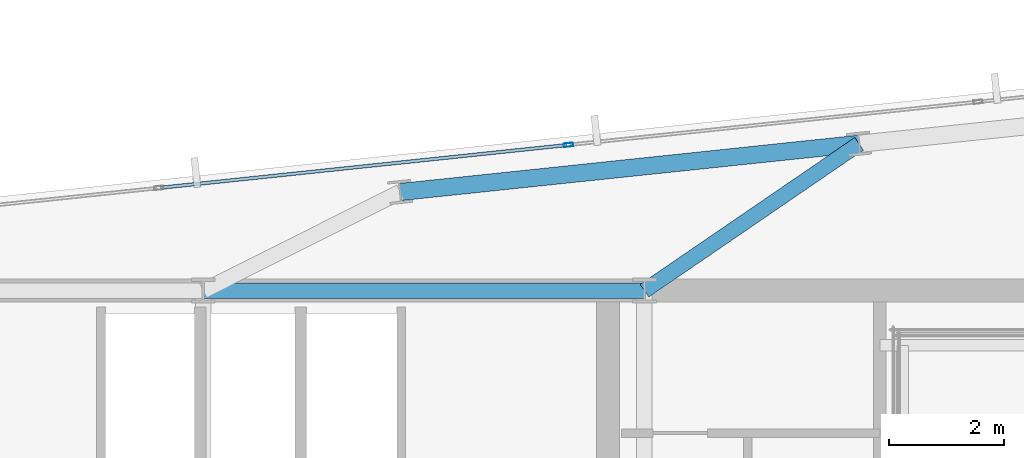
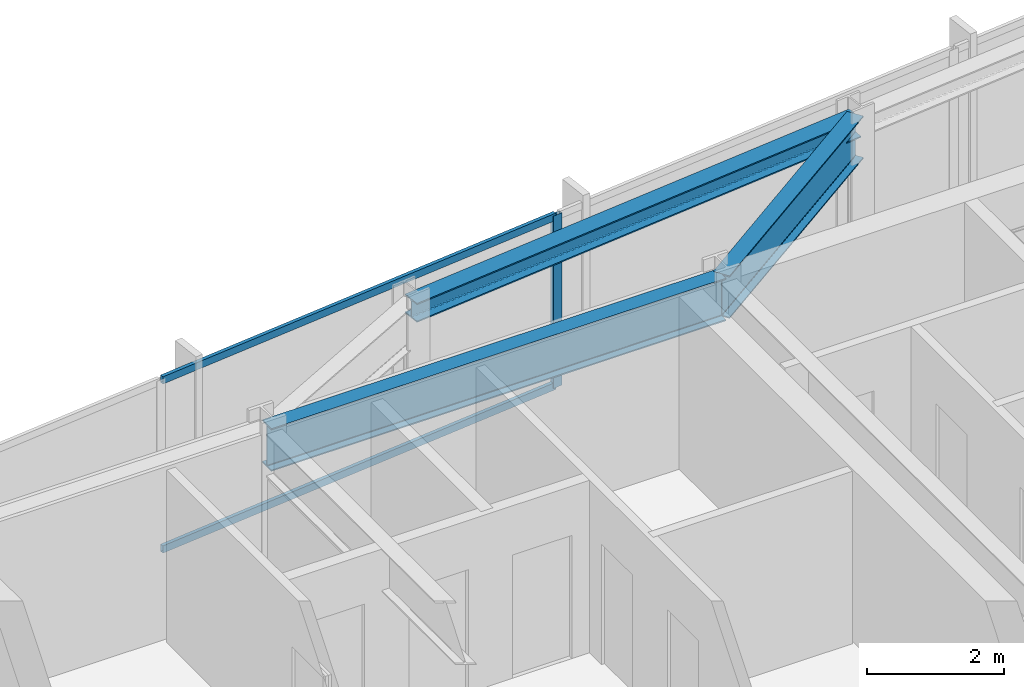
# One storey, part 22 of 33: 3 beams, 3 members, 1 element without a shape of its own.
"""IFC4 building model written with IfcOpenShell, lengths in metres."""

from ifc_helpers import new_model, si_unit, direction, frame, origin, origin_2d, place, context, subcontext, project, spatial, hollow_rectangle, i_section, extrude, material, material_profile, profile_set, type_object, element, aggregate, save


model = new_model("IFC4")

# Units and contexts
model_context = context("Model", 3, precision=1e-05, world=origin(), true_north=direction((0.0, 1.0)))
body_context = subcontext(model_context, "Body", "Model", "MODEL_VIEW")
ifc_project = project(units=[si_unit("LENGTHUNIT", "METRE"), si_unit("AREAUNIT", "SQUARE_METRE"), si_unit("VOLUMEUNIT", "CUBIC_METRE"), si_unit("PLANEANGLEUNIT", "RADIAN"), si_unit("MASSUNIT", "GRAM", prefix="KILO")], contexts=[model_context])

# Site, building, storey
site_placement = place(None, origin())
site = spatial("IfcSite", under=ifc_project, at=site_placement, CompositionType="ELEMENT")
building_placement = place(site_placement, origin())
building = spatial("IfcBuilding", under=site, at=building_placement, Name="Yelkora Congress Tower", CompositionType="ELEMENT")
storey_placement = place(building_placement, frame((0.0, 0.0, 240.800048828125)))
storey = spatial("IfcBuildingStorey", under=building, at=storey_placement, Name="L67", CompositionType="ELEMENT", Elevation=240.800048828125)

# Beams
ifc_material_1 = material(Name="Steel S355J2", Category="steel")
ifc_material_profile_1 = material_profile(ifc_material_1, i_section(OverallWidth=0.26708984375, OverallDepth=0.761962890625, WebThickness=0.014404296875, FlangeThickness=0.021484375, FilletRadius=0.01708984375, at=origin_2d()), Name="IPE 750x173")
ifc_profile_set_1 = profile_set([ifc_material_profile_1], Name="Steel S355J2")
beam_type_1 = type_object("IfcBeamType", Name="BM-GIRD-IPE750", PredefinedType="BEAM", material=ifc_profile_set_1)
beam_1_placement = place(storey_placement, frame((38.39990234375, 46.199951171875, 2.698974609375), z_axis=(1.0, 0.0, 0.0), x_axis=(0.0, 1.0, 0.0)))
element("IfcBeam", 1, at=beam_1_placement, inside=storey, type_object=beam_type_1, Name="L67 Core North Girder 4", PredefinedType="BEAM", context=body_context, shape_type="SweptSolid", body=[
    extrude(i_section(OverallWidth=0.26708984375, OverallDepth=0.761962890625, WebThickness=0.014404296875, FlangeThickness=0.021484375, FilletRadius=0.01708984375, at=origin_2d()), origin(), (0.0, 0.0, 1.0), 7.68017578125),
])
beam_2_placement = place(storey_placement, frame((49.8173828125, 48.757080078125, 2.698974609375), z_axis=(-0.825304616438, -0.564687781067, 0.0), x_axis=(0.564687781067, -0.825304616438, 0.0)))
element("IfcBeam", 2, at=beam_2_placement, inside=storey, type_object=beam_type_1, Name="L67 Primary Frame Girder N05", PredefinedType="BEAM", context=body_context, shape_type="SweptSolid", body=[
    extrude(i_section(OverallWidth=0.26708984375, OverallDepth=0.761962890625, WebThickness=0.014404296875, FlangeThickness=0.021484375, FilletRadius=0.01708984375, at=origin_2d()), origin(), (0.0, 0.0, 1.0), 4.5283203125),
])
ifc_material_profile_2 = material_profile(ifc_material_1, i_section(OverallWidth=0.300048828125, OverallDepth=0.340087890625, WebThickness=0.011962890625, FlangeThickness=0.021484375, FilletRadius=0.027099609375, at=origin_2d()), Name="HEB 340")
ifc_profile_set_2 = profile_set([ifc_material_profile_2], Name="Steel S355J2")
beam_type_2 = type_object("IfcBeamType", Name="BM-SPAN-HEB340", PredefinedType="SPANDREL", material=ifc_profile_set_2)
beam_3_placement = place(storey_placement, frame((49.8173828125, 48.757080078125, 2.909912109375), z_axis=(-0.994523256947, -0.104515507904, 0.0), x_axis=(0.104515507904, -0.994523256947, 0.0)))
element("IfcBeam", 3, at=beam_3_placement, inside=storey, type_object=beam_type_2, Name="L67 Perimeter Beam 15", PredefinedType="SPANDREL", context=body_context, shape_type="SweptSolid", body=[
    extrude(i_section(OverallWidth=0.300048828125, OverallDepth=0.340087890625, WebThickness=0.011962890625, FlangeThickness=0.021484375, FilletRadius=0.027099609375, at=origin_2d()), origin(), (0.0, 0.0, 1.0), 8.033203125),
])

# Curtain wall, members
ifc_material_2 = material(Name="Anodised aluminium and insulated glass", Category="aluminium")
curtain_wall_type = type_object("IfcCurtainWallType", Name="CW-SYS-B4", PredefinedType="NOTDEFINED", material=ifc_material_2)
curtain_wall_placement = place(storey_placement, origin())
curtain_wall = element("IfcCurtainWall", 4, at=curtain_wall_placement, inside=storey, type_object=curtain_wall_type, Name="L67 Unitised Curtain Wall 10 (3)", PredefinedType="NOTDEFINED")
ifc_material_3 = material(Name="Anodised aluminium 6063-T6", Category="aluminium")
ifc_material_profile_3 = material_profile(ifc_material_3, hollow_rectangle(XDim=0.06494140625, YDim=0.159912109375, WallThickness=0.00390625, at=origin_2d()), Name="ALU 65x160x4")
ifc_profile_set_3 = profile_set([ifc_material_profile_3], Name="Anodised aluminium 6063-T6")
member_type_1 = type_object("IfcMemberType", Name="MEM-ML-B4", PredefinedType="MULLION", material=ifc_profile_set_3)
member_1_placement = place(storey_placement, frame((44.75830078125, 48.73828125, 0.0), z_axis=(0.0, 0.0, 1.0), x_axis=(-0.104527724021, 0.994521973066, 0.0)))
member_1 = element("IfcMember", 5, at=member_1_placement, type_object=member_type_1, Name="CW-B4 mullion 4", PredefinedType="MULLION", context=body_context, shape_type="SweptSolid", body=[
    extrude(hollow_rectangle(XDim=0.06494140625, YDim=0.159912109375, WallThickness=0.00390625, at=origin_2d()), origin(), (0.0, 0.0, 1.0), 3.079833984375),
])
ifc_material_profile_4 = material_profile(ifc_material_3, hollow_rectangle(XDim=0.06005859375, YDim=0.1298828125, WallThickness=0.00390625, at=origin_2d()), Name="ALU 60x130x4")
ifc_profile_set_4 = profile_set([ifc_material_profile_4], Name="Anodised aluminium 6063-T6")
member_type_2 = type_object("IfcMemberType", Name="MEM-TR-B4", PredefinedType="USERDEFINED", material=ifc_profile_set_4)
member_2_placement = place(storey_placement, frame((37.659912109375, 47.9921875, 0.030029296875), z_axis=(0.994521633799, 0.104530951904, 0.0), x_axis=(-0.104530951904, 0.994521633799, 0.0)))
member_2 = element("IfcMember", 6, at=member_2_placement, type_object=member_type_2, Name="CW-B4 transom 3.1", ObjectType="TRANSOM", PredefinedType="USERDEFINED", context=body_context, shape_type="SweptSolid", body=[
    extrude(hollow_rectangle(XDim=0.06005859375, YDim=0.1298828125, WallThickness=0.00390625, at=origin_2d()), origin(), (0.0, 0.0, 1.0), 7.104736328125),
])
member_3_placement = place(storey_placement, frame((37.659912109375, 47.9921875, 3.050048828125), z_axis=(0.994521633799, 0.104530951904, 0.0), x_axis=(-0.104530951904, 0.994521633799, 0.0)))
member_3 = element("IfcMember", 7, at=member_3_placement, type_object=member_type_2, Name="CW-B4 transom 3.2", ObjectType="TRANSOM", PredefinedType="USERDEFINED", context=body_context, shape_type="SweptSolid", body=[
    extrude(hollow_rectangle(XDim=0.06005859375, YDim=0.1298828125, WallThickness=0.00390625, at=origin_2d()), origin(), (0.0, 0.0, 1.0), 7.104736328125),
])
aggregate(curtain_wall, [member_1, member_2, member_3])

save(model, "model.ifc")
